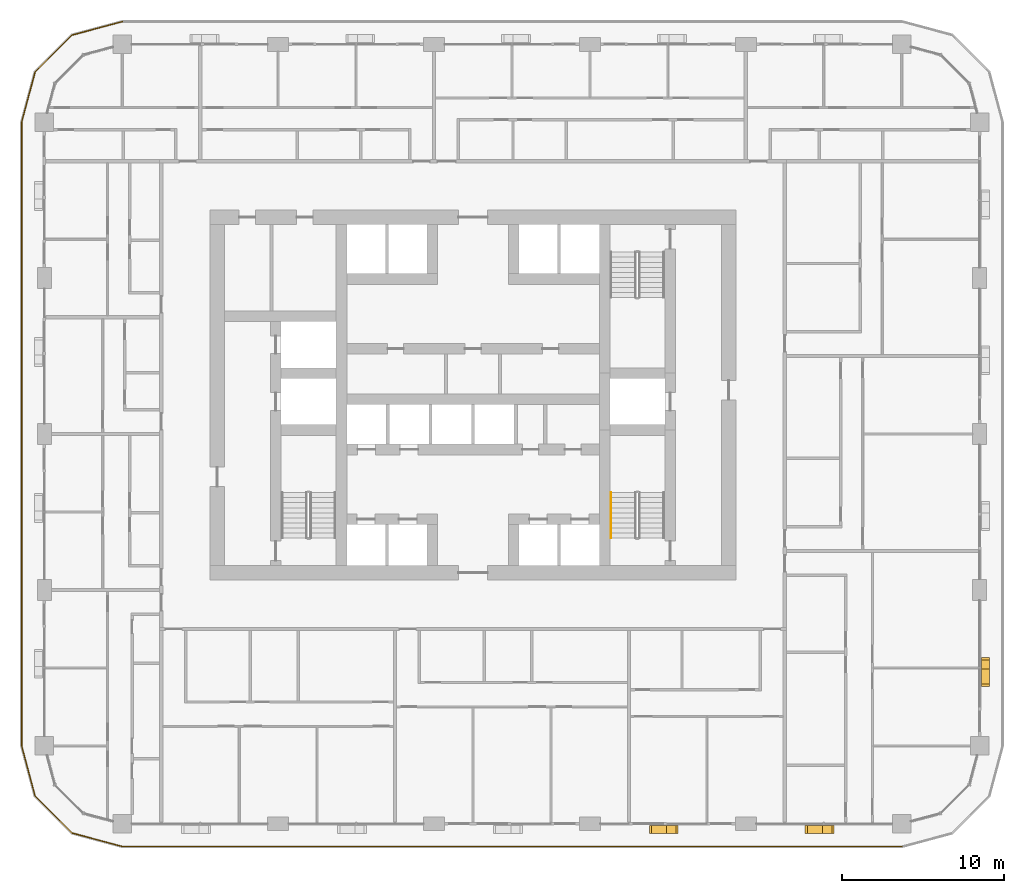
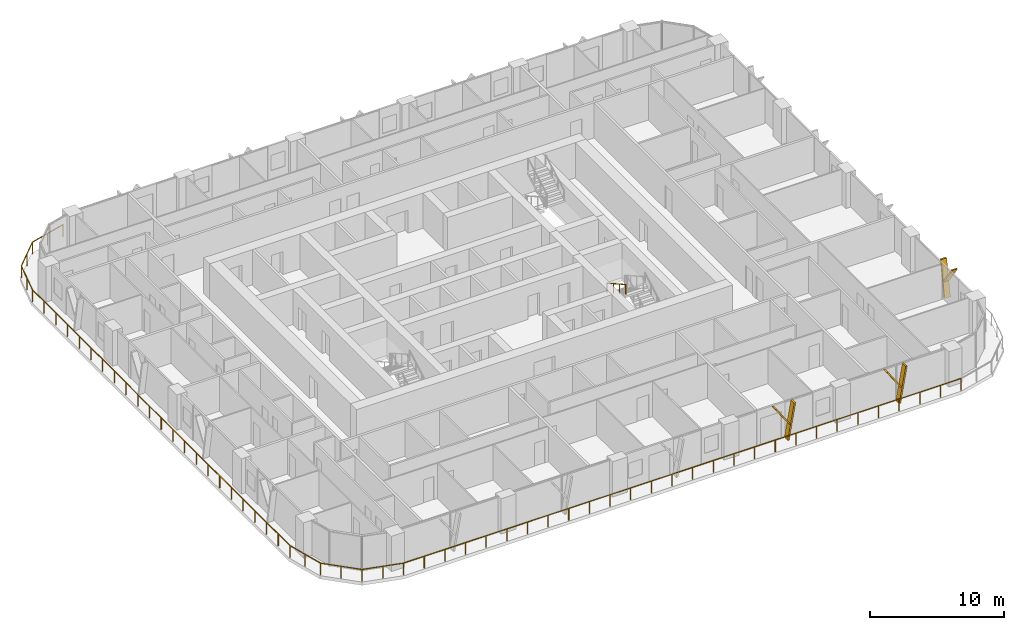
# One storey, part 19 of 22: 6 shading devices, 2 railings.
"""IFC4 building model written with IfcOpenShell, lengths in metres."""

from ifc_helpers import new_model, si_unit, direction, frame, origin, origin_2d, place, context, subcontext, project, spatial, polyline, circle, outline, extrude, material, type_object, element, save


model = new_model("IFC4")

# Units and contexts
model_context = context("Model", 3, precision=1e-05, world=origin(), true_north=direction((0.0, 1.0)))
body_context = subcontext(model_context, "Body", "Model", "MODEL_VIEW")
ifc_project = project(units=[si_unit("LENGTHUNIT", "METRE"), si_unit("AREAUNIT", "SQUARE_METRE"), si_unit("VOLUMEUNIT", "CUBIC_METRE"), si_unit("PLANEANGLEUNIT", "RADIAN"), si_unit("MASSUNIT", "GRAM", prefix="KILO")], contexts=[model_context])

# Site, building, storey
site_placement = place(None, origin())
site = spatial("IfcSite", under=ifc_project, at=site_placement, CompositionType="ELEMENT")
building_placement = place(site_placement, origin())
building = spatial("IfcBuilding", under=site, at=building_placement, Name="Madar Terraces", CompositionType="ELEMENT")
storey_placement = place(building_placement, frame((0.0, 0.0, 66.300048828125)))
storey = spatial("IfcBuildingStorey", under=building, at=storey_placement, Name="L16", CompositionType="ELEMENT", Elevation=66.300048828125)

# Railing
ifc_material_1 = material(Name="Glass, safety glazing, with stainless steel posts", Category="steel")
railing_type_1 = type_object("IfcRailingType", Name="Balcony glass guard 1100", PredefinedType="GUARDRAIL", material=ifc_material_1)
railing_1_placement = place(storey_placement, frame((9.60009765625, 49.39990234375, 0.0)))
element("IfcRailing", 1, at=railing_1_placement, inside=storey, type_object=railing_type_1, Name="Balcony guard", PredefinedType="GUARDRAIL", context=body_context, shape_type="SweptSolid", body=[
    extrude(circle(Radius=0.02392578125, at=origin_2d()), frame((0.0, 0.0, 1.076171875), z_axis=(-0.9659337912, -0.258789317819, 0.0), x_axis=(0.258789317819, -0.9659337912, 0.0)), (0.0, 0.0, 1.0), 3.20947265625),
    extrude(circle(Radius=0.02392578125, at=origin_2d()), frame((-3.10009765625, -0.83056640625, 1.076171875), z_axis=(-0.707106781187, -0.707106781187, 0.0), x_axis=(0.707106781187, -0.707106781187, 0.0)), (0.0, 0.0, 1.0), 3.209228515625),
    extrude(circle(Radius=0.02392578125, at=origin_2d()), frame((-5.369384765625, -3.099853515625, 1.076171875), z_axis=(-0.258860290944, -0.965914773555, 0.0), x_axis=(0.965914773555, -0.258860290944, 0.0)), (0.0, 0.0, 1.0), 3.20947265625),
    extrude(circle(Radius=0.02392578125, at=origin_2d()), frame((-6.2001953125, -6.199951171875, 1.076171875), z_axis=(0.0, -1.0, 0.0), x_axis=(1.0, 0.0, 0.0)), (0.0, 0.0, 1.0), 38.39990234375),
    extrude(circle(Radius=0.02392578125, at=origin_2d()), frame((-6.2001953125, -44.599853515625, 1.076171875), z_axis=(0.258860290944, -0.965914773555, 0.0), x_axis=(0.965914773555, 0.258860290944, 0.0)), (0.0, 0.0, 1.0), 3.20947265625),
    extrude(circle(Radius=0.02392578125, at=origin_2d()), frame((-5.369384765625, -47.699951171875, 1.076171875), z_axis=(0.707106781187, -0.707106781187, 0.0), x_axis=(0.707106781187, 0.707106781187, 0.0)), (0.0, 0.0, 1.0), 3.209228515625),
    extrude(circle(Radius=0.02392578125, at=origin_2d()), frame((-3.10009765625, -49.96923828125, 1.076171875), z_axis=(0.9659337912, -0.258789317819, 0.0), x_axis=(0.258789317819, 0.9659337912, 0.0)), (0.0, 0.0, 1.0), 3.20947265625),
    extrude(circle(Radius=0.02392578125, at=origin_2d()), frame((0.0, -50.7998046875, 1.076171875), z_axis=(1.0, 0.0, 0.0), x_axis=(0.0, 1.0, 0.0)), (0.0, 0.0, 1.0), 48.0),
    extrude(circle(Radius=0.02099609375, at=origin_2d()), origin(), (0.0, 0.0, 1.0), 1.052001953125),
    extrude(circle(Radius=0.02099609375, at=origin_2d()), frame((-1.550048828125, -0.415283203125, 0.0)), (0.0, 0.0, 1.0), 1.052001953125),
    extrude(circle(Radius=0.02099609375, at=origin_2d()), frame((-3.10009765625, -0.83056640625, 0.0)), (0.0, 0.0, 1.0), 1.052001953125),
    extrude(circle(Radius=0.02099609375, at=origin_2d()), frame((-4.23486328125, -1.96533203125, 0.0)), (0.0, 0.0, 1.0), 1.052001953125),
    extrude(circle(Radius=0.02099609375, at=origin_2d()), frame((-5.369384765625, -3.099853515625, 0.0)), (0.0, 0.0, 1.0), 1.052001953125),
    extrude(circle(Radius=0.02099609375, at=origin_2d()), frame((-5.78466796875, -4.64990234375, 0.0)), (0.0, 0.0, 1.0), 1.052001953125),
    extrude(circle(Radius=0.02099609375, at=origin_2d()), frame((-6.2001953125, -6.199951171875, 0.0)), (0.0, 0.0, 1.0), 1.052001953125),
    extrude(circle(Radius=0.02099609375, at=origin_2d()), frame((-6.2001953125, -7.9453125, 0.0)), (0.0, 0.0, 1.0), 1.052001953125),
    extrude(circle(Radius=0.02099609375, at=origin_2d()), frame((-6.2001953125, -9.69091796875, 0.0)), (0.0, 0.0, 1.0), 1.052001953125),
    extrude(circle(Radius=0.02099609375, at=origin_2d()), frame((-6.2001953125, -11.436279296875, 0.0)), (0.0, 0.0, 1.0), 1.052001953125),
    extrude(circle(Radius=0.02099609375, at=origin_2d()), frame((-6.2001953125, -13.181640625, 0.0)), (0.0, 0.0, 1.0), 1.052001953125),
    extrude(circle(Radius=0.02099609375, at=origin_2d()), frame((-6.2001953125, -14.92724609375, 0.0)), (0.0, 0.0, 1.0), 1.052001953125),
    extrude(circle(Radius=0.02099609375, at=origin_2d()), frame((-6.2001953125, -16.672607421875, 0.0)), (0.0, 0.0, 1.0), 1.052001953125),
    extrude(circle(Radius=0.02099609375, at=origin_2d()), frame((-6.2001953125, -18.418212890625, 0.0)), (0.0, 0.0, 1.0), 1.052001953125),
    extrude(circle(Radius=0.02099609375, at=origin_2d()), frame((-6.2001953125, -20.16357421875, 0.0)), (0.0, 0.0, 1.0), 1.052001953125),
    extrude(circle(Radius=0.02099609375, at=origin_2d()), frame((-6.2001953125, -21.908935546875, 0.0)), (0.0, 0.0, 1.0), 1.052001953125),
    extrude(circle(Radius=0.02099609375, at=origin_2d()), frame((-6.2001953125, -23.654541015625, 0.0)), (0.0, 0.0, 1.0), 1.052001953125),
    extrude(circle(Radius=0.02099609375, at=origin_2d()), frame((-6.2001953125, -25.39990234375, 0.0)), (0.0, 0.0, 1.0), 1.052001953125),
    extrude(circle(Radius=0.02099609375, at=origin_2d()), frame((-6.2001953125, -27.145263671875, 0.0)), (0.0, 0.0, 1.0), 1.052001953125),
    extrude(circle(Radius=0.02099609375, at=origin_2d()), frame((-6.2001953125, -28.890869140625, 0.0)), (0.0, 0.0, 1.0), 1.052001953125),
    extrude(circle(Radius=0.02099609375, at=origin_2d()), frame((-6.2001953125, -30.63623046875, 0.0)), (0.0, 0.0, 1.0), 1.052001953125),
    extrude(circle(Radius=0.02099609375, at=origin_2d()), frame((-6.2001953125, -32.381591796875, 0.0)), (0.0, 0.0, 1.0), 1.052001953125),
    extrude(circle(Radius=0.02099609375, at=origin_2d()), frame((-6.2001953125, -34.127197265625, 0.0)), (0.0, 0.0, 1.0), 1.052001953125),
    extrude(circle(Radius=0.02099609375, at=origin_2d()), frame((-6.2001953125, -35.87255859375, 0.0)), (0.0, 0.0, 1.0), 1.052001953125),
    extrude(circle(Radius=0.02099609375, at=origin_2d()), frame((-6.2001953125, -37.6181640625, 0.0)), (0.0, 0.0, 1.0), 1.052001953125),
    extrude(circle(Radius=0.02099609375, at=origin_2d()), frame((-6.2001953125, -39.363525390625, 0.0)), (0.0, 0.0, 1.0), 1.052001953125),
    extrude(circle(Radius=0.02099609375, at=origin_2d()), frame((-6.2001953125, -41.10888671875, 0.0)), (0.0, 0.0, 1.0), 1.052001953125),
    extrude(circle(Radius=0.02099609375, at=origin_2d()), frame((-6.2001953125, -42.8544921875, 0.0)), (0.0, 0.0, 1.0), 1.052001953125),
    extrude(circle(Radius=0.02099609375, at=origin_2d()), frame((-6.2001953125, -44.599853515625, 0.0)), (0.0, 0.0, 1.0), 1.052001953125),
    extrude(circle(Radius=0.02099609375, at=origin_2d()), frame((-5.78466796875, -46.14990234375, 0.0)), (0.0, 0.0, 1.0), 1.052001953125),
    extrude(circle(Radius=0.02099609375, at=origin_2d()), frame((-5.369384765625, -47.699951171875, 0.0)), (0.0, 0.0, 1.0), 1.052001953125),
    extrude(circle(Radius=0.02099609375, at=origin_2d()), frame((-4.23486328125, -48.83447265625, 0.0)), (0.0, 0.0, 1.0), 1.052001953125),
    extrude(circle(Radius=0.02099609375, at=origin_2d()), frame((-3.10009765625, -49.96923828125, 0.0)), (0.0, 0.0, 1.0), 1.052001953125),
    extrude(circle(Radius=0.02099609375, at=origin_2d()), frame((-1.550048828125, -50.384521484375, 0.0)), (0.0, 0.0, 1.0), 1.052001953125),
    extrude(circle(Radius=0.02099609375, at=origin_2d()), frame((0.0, -50.7998046875, 0.0)), (0.0, 0.0, 1.0), 1.052001953125),
    extrude(circle(Radius=0.02099609375, at=origin_2d()), frame((1.77783203125, -50.7998046875, 0.0)), (0.0, 0.0, 1.0), 1.052001953125),
    extrude(circle(Radius=0.02099609375, at=origin_2d()), frame((3.5556640625, -50.7998046875, 0.0)), (0.0, 0.0, 1.0), 1.052001953125),
    extrude(circle(Radius=0.02099609375, at=origin_2d()), frame((5.333251953125, -50.7998046875, 0.0)), (0.0, 0.0, 1.0), 1.052001953125),
    extrude(circle(Radius=0.02099609375, at=origin_2d()), frame((7.111083984375, -50.7998046875, 0.0)), (0.0, 0.0, 1.0), 1.052001953125),
    extrude(circle(Radius=0.02099609375, at=origin_2d()), frame((8.888916015625, -50.7998046875, 0.0)), (0.0, 0.0, 1.0), 1.052001953125),
    extrude(circle(Radius=0.02099609375, at=origin_2d()), frame((10.666748046875, -50.7998046875, 0.0)), (0.0, 0.0, 1.0), 1.052001953125),
    extrude(circle(Radius=0.02099609375, at=origin_2d()), frame((12.4443359375, -50.7998046875, 0.0)), (0.0, 0.0, 1.0), 1.052001953125),
    extrude(circle(Radius=0.02099609375, at=origin_2d()), frame((14.22216796875, -50.7998046875, 0.0)), (0.0, 0.0, 1.0), 1.052001953125),
    extrude(circle(Radius=0.02099609375, at=origin_2d()), frame((16.0, -50.7998046875, 0.0)), (0.0, 0.0, 1.0), 1.052001953125),
    extrude(circle(Radius=0.02099609375, at=origin_2d()), frame((17.77783203125, -50.7998046875, 0.0)), (0.0, 0.0, 1.0), 1.052001953125),
    extrude(circle(Radius=0.02099609375, at=origin_2d()), frame((19.5556640625, -50.7998046875, 0.0)), (0.0, 0.0, 1.0), 1.052001953125),
    extrude(circle(Radius=0.02099609375, at=origin_2d()), frame((21.333251953125, -50.7998046875, 0.0)), (0.0, 0.0, 1.0), 1.052001953125),
    extrude(circle(Radius=0.02099609375, at=origin_2d()), frame((23.111083984375, -50.7998046875, 0.0)), (0.0, 0.0, 1.0), 1.052001953125),
    extrude(circle(Radius=0.02099609375, at=origin_2d()), frame((24.888916015625, -50.7998046875, 0.0)), (0.0, 0.0, 1.0), 1.052001953125),
    extrude(circle(Radius=0.02099609375, at=origin_2d()), frame((26.666748046875, -50.7998046875, 0.0)), (0.0, 0.0, 1.0), 1.052001953125),
    extrude(circle(Radius=0.02099609375, at=origin_2d()), frame((28.4443359375, -50.7998046875, 0.0)), (0.0, 0.0, 1.0), 1.052001953125),
    extrude(circle(Radius=0.02099609375, at=origin_2d()), frame((30.22216796875, -50.7998046875, 0.0)), (0.0, 0.0, 1.0), 1.052001953125),
    extrude(circle(Radius=0.02099609375, at=origin_2d()), frame((32.0, -50.7998046875, 0.0)), (0.0, 0.0, 1.0), 1.052001953125),
    extrude(circle(Radius=0.02099609375, at=origin_2d()), frame((33.77783203125, -50.7998046875, 0.0)), (0.0, 0.0, 1.0), 1.052001953125),
    extrude(circle(Radius=0.02099609375, at=origin_2d()), frame((35.5556640625, -50.7998046875, 0.0)), (0.0, 0.0, 1.0), 1.052001953125),
    extrude(circle(Radius=0.02099609375, at=origin_2d()), frame((37.333251953125, -50.7998046875, 0.0)), (0.0, 0.0, 1.0), 1.052001953125),
    extrude(circle(Radius=0.02099609375, at=origin_2d()), frame((39.111083984375, -50.7998046875, 0.0)), (0.0, 0.0, 1.0), 1.052001953125),
    extrude(circle(Radius=0.02099609375, at=origin_2d()), frame((40.888916015625, -50.7998046875, 0.0)), (0.0, 0.0, 1.0), 1.052001953125),
    extrude(circle(Radius=0.02099609375, at=origin_2d()), frame((42.666748046875, -50.7998046875, 0.0)), (0.0, 0.0, 1.0), 1.052001953125),
    extrude(circle(Radius=0.02099609375, at=origin_2d()), frame((44.4443359375, -50.7998046875, 0.0)), (0.0, 0.0, 1.0), 1.052001953125),
    extrude(circle(Radius=0.02099609375, at=origin_2d()), frame((46.22216796875, -50.7998046875, 0.0)), (0.0, 0.0, 1.0), 1.052001953125),
    extrude(circle(Radius=0.02099609375, at=origin_2d()), frame((48.0, -50.7998046875, 0.0)), (0.0, 0.0, 1.0), 1.052001953125),
])

# Shading devices
ifc_material_2 = material(Name="Aluminium, black anodised", Category="aluminium")
shading_device_type = type_object("IfcShadingDeviceType", Name="Facade fin blade 140 x 500", PredefinedType="USERDEFINED", material=ifc_material_2)
shading_device_1_placement = place(storey_placement, frame((43.1298828125, -0.35009765625, 0.0), z_axis=(0.0, 0.0, 1.0), x_axis=(1.0, 0.0, 0.0)))
element("IfcShadingDevice", 2, at=shading_device_1_placement, inside=storey, type_object=shading_device_type, Name="FIN L16 S4", ObjectType="FIN", PredefinedType="USERDEFINED", context=body_context, shape_type="SweptSolid", body=[
    extrude(outline(polyline([(0.0, 0.0), (0.14013671875, 0.0), (0.704345703125, 3.199951171875), (0.564208984375, 3.199951171875), (0.0, 0.0)])), frame((0.0, 0.25, 0.0), z_axis=(0.0, -1.0, 0.0), x_axis=(1.0, 0.0, 0.0)), (0.0, 0.0, 1.0), 0.5),
])
shading_device_2_placement = place(storey_placement, frame((43.243896484375, -0.35009765625, 1.43994140625), z_axis=(0.0, 0.0, 1.0), x_axis=(1.0, 0.0, 0.0)))
element("IfcShadingDevice", 3, at=shading_device_2_placement, inside=storey, type_object=shading_device_type, Name="FIN L16 S4 branch", ObjectType="FIN", PredefinedType="USERDEFINED", context=body_context, shape_type="SweptSolid", body=[
    extrude(outline(polyline([(0.0, 0.0), (0.139892578125, 0.0), (-1.049560546875, 1.760009765625), (-1.189697265625, 1.760009765625), (0.0, 0.0)])), frame((0.0, 0.25, 0.0), z_axis=(0.0, -1.0, 0.0), x_axis=(1.0, 0.0, 0.0)), (0.0, 0.0, 1.0), 0.5),
])
shading_device_3_placement = place(storey_placement, frame((52.72998046875, -0.35009765625, 0.0), z_axis=(0.0, 0.0, 1.0), x_axis=(1.0, 0.0, 0.0)))
element("IfcShadingDevice", 4, at=shading_device_3_placement, inside=storey, type_object=shading_device_type, Name="FIN L16 S5", ObjectType="FIN", PredefinedType="USERDEFINED", context=body_context, shape_type="SweptSolid", body=[
    extrude(outline(polyline([(0.0, 0.0), (0.14013671875, 0.0), (0.704345703125, 3.199951171875), (0.564208984375, 3.199951171875), (0.0, 0.0)])), frame((0.0, 0.25, 0.0), z_axis=(0.0, -1.0, 0.0), x_axis=(1.0, 0.0, 0.0)), (0.0, 0.0, 1.0), 0.5),
])
shading_device_4_placement = place(storey_placement, frame((52.843994140625, -0.35009765625, 1.43994140625), z_axis=(0.0, 0.0, 1.0), x_axis=(1.0, 0.0, 0.0)))
element("IfcShadingDevice", 5, at=shading_device_4_placement, inside=storey, type_object=shading_device_type, Name="FIN L16 S5 branch", ObjectType="FIN", PredefinedType="USERDEFINED", context=body_context, shape_type="SweptSolid", body=[
    extrude(outline(polyline([(0.0, 0.0), (0.139892578125, 0.0), (-1.049560546875, 1.760009765625), (-1.189697265625, 1.760009765625), (0.0, 0.0)])), frame((0.0, 0.25, 0.0), z_axis=(0.0, -1.0, 0.0), x_axis=(1.0, 0.0, 0.0)), (0.0, 0.0, 1.0), 0.5),
])
shading_device_5_placement = place(storey_placement, frame((62.75, 9.530029296875, 0.0), z_axis=(0.0, 0.0, 1.0), x_axis=(0.0, 1.0, 0.0)))
element("IfcShadingDevice", 6, at=shading_device_5_placement, inside=storey, type_object=shading_device_type, Name="FIN L16 E1", ObjectType="FIN", PredefinedType="USERDEFINED", context=body_context, shape_type="SweptSolid", body=[
    extrude(outline(polyline([(0.0, 0.0), (0.139892578125, 0.0), (0.704345703125, 3.199951171875), (0.564208984375, 3.199951171875), (0.0, 0.0)])), frame((0.0, 0.25, 0.0), z_axis=(0.0, -1.0, 0.0), x_axis=(1.0, 0.0, 0.0)), (0.0, 0.0, 1.0), 0.5),
])
shading_device_6_placement = place(storey_placement, frame((62.75, 9.643798828125, 1.43994140625), z_axis=(0.0, 0.0, 1.0), x_axis=(0.0, 1.0, 0.0)))
element("IfcShadingDevice", 7, at=shading_device_6_placement, inside=storey, type_object=shading_device_type, Name="FIN L16 E1 branch", ObjectType="FIN", PredefinedType="USERDEFINED", context=body_context, shape_type="SweptSolid", body=[
    extrude(outline(polyline([(0.0, 0.0), (0.14013671875, 0.0), (-1.049560546875, 1.760009765625), (-1.189697265625, 1.760009765625), (0.0, 0.0)])), frame((0.0, 0.25, 0.0), z_axis=(0.0, -1.0, 0.0), x_axis=(1.0, 0.0, 0.0)), (0.0, 0.0, 1.0), 0.5),
])

# Railing
ifc_material_3 = material(Name="Stainless steel railing", Category="steel")
railing_type_2 = type_object("IfcRailingType", Name="Stair handrail 900", PredefinedType="HANDRAIL", material=ifc_material_3)
railing_2_placement = place(storey_placement, frame((39.699951171875, 20.389892578125, 1.925048828125)))
element("IfcRailing", 8, at=railing_2_placement, inside=storey, type_object=railing_type_2, Name="L16 ST3 stair handrail 2", PredefinedType="HANDRAIL", context=body_context, shape_type="SweptSolid", body=[
    extrude(circle(Radius=0.02392578125, at=origin_2d()), frame((0.0, 0.0, 0.8759765625), z_axis=(0.0, -0.870815363784, 0.491610213684), x_axis=(1.0, 0.0, 0.0)), (0.0, 0.0, 1.0), 3.20361328125),
    extrude(circle(Radius=0.02099609375, at=origin_2d()), origin(), (0.0, 0.0, 1.0), 0.851806640625),
    extrude(circle(Radius=0.02099609375, at=origin_2d()), frame((0.0, -0.929931640625, 0.52490234375)), (0.0, 0.0, 1.0), 0.851806640625),
    extrude(circle(Radius=0.02099609375, at=origin_2d()), frame((0.0, -1.85986328125, 1.050048828125)), (0.0, 0.0, 1.0), 0.851806640625),
    extrude(circle(Radius=0.02099609375, at=origin_2d()), frame((0.0, -2.789794921875, 1.574951171875)), (0.0, 0.0, 1.0), 0.851806640625),
])

save(model, "model.ifc")
